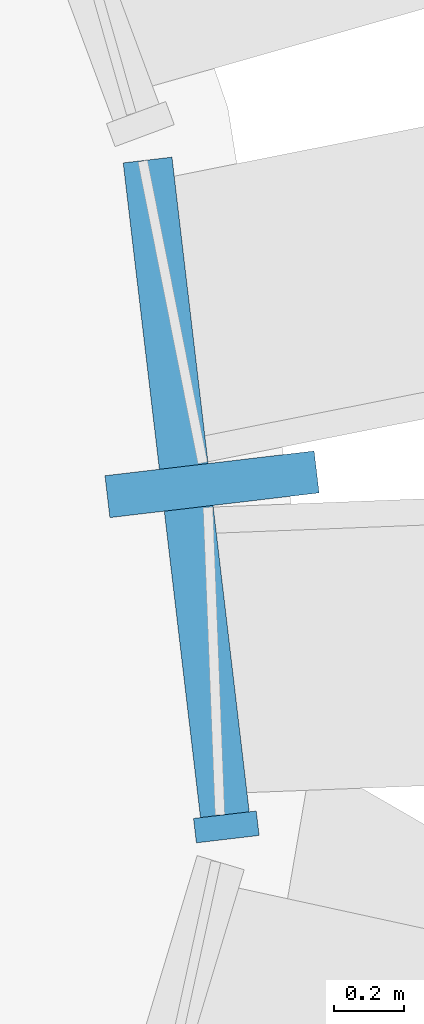
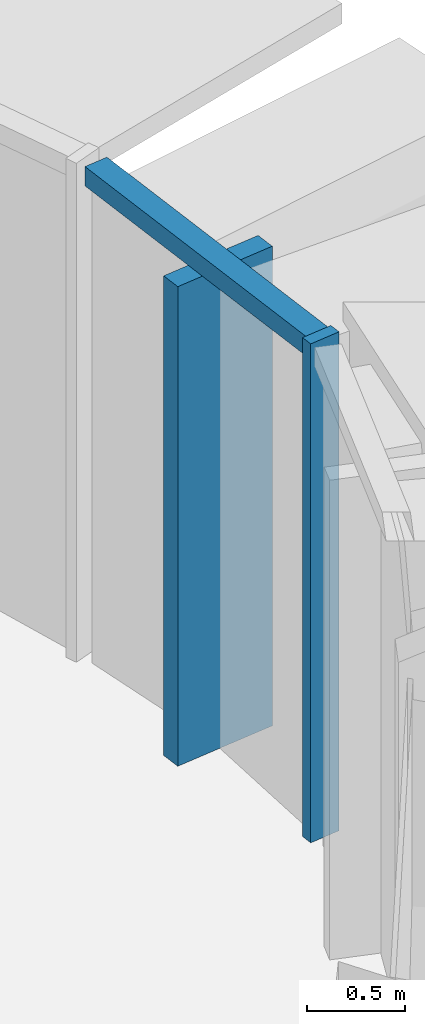
# One storey, part 8 of 23: 3 members, 1 element without a shape of its own.
"""IFC4 building model written with IfcOpenShell, lengths in metres."""

import ifcopenshell
import ifcopenshell.guid

model = None  # the IFC model being written
_history = None  # IfcOwnerHistory: only IFC2X3 demands one
_inside = {}  # id of a spatial element -> (the spatial element, [elements in it])
_under = {}  # id of a project, library or spatial element -> (it, [spatial elements below it])
_declared = {}  # id of a project -> (the project, [libraries it declares])
_typed = {}  # id of a type object -> (the type object, [elements of that type])
_made_of = {}  # id of a material, layer set ... -> (it, [elements and type objects made of it])


def new_model(schema):
    """Start an empty IFC model of exactly this schema.

    Asked for "IFC4X3", IfcOpenShell would pick the latest addendum, in which some entities
    have other attributes; the version numbers below select the first issue.
    IFC2X3 requires an IfcOwnerHistory on every rooted entity: one is made here for all.
    """
    global model, _history
    if schema == "IFC4X3":
        model = ifcopenshell.file(schema_version=(4, 3, 0, 0))
    else:
        model = ifcopenshell.file(schema=schema)
    _inside.clear()
    _under.clear()
    _declared.clear()
    _typed.clear()
    _made_of.clear()
    _history = None
    if model.schema == "IFC2X3":
        org = make("IfcOrganization", Name="unknown")
        user = make(
            "IfcPersonAndOrganization",
            ThePerson=make("IfcPerson", FamilyName="unknown"),
            TheOrganization=org,
        )
        app = make(
            "IfcApplication",
            ApplicationDeveloper=org,
            Version="unknown",
            ApplicationFullName="unknown",
            ApplicationIdentifier="unknown",
        )
        _history = make(
            "IfcOwnerHistory",
            OwningUser=user,
            OwningApplication=app,
            ChangeAction="ADDED",
            CreationDate=0,
        )
    return model


def make(cls, **values):
    """One entity of the class cls with the attributes given. An attribute that is None is left unset."""
    return model.create_entity(
        cls, **{name: value for name, value in values.items() if value is not None}
    )


def rooted(cls, **values):
    """An entity with a GlobalId (a new one), such as an element, a storey or a relation."""
    return make(cls, GlobalId=ifcopenshell.guid.new(), OwnerHistory=_history, **values)


def si_unit(unit_type, name, prefix=None):
    """IfcSIUnit, for example si_unit("LENGTHUNIT", "METRE", prefix="MILLI")."""
    return make("IfcSIUnit", UnitType=unit_type, Prefix=prefix, Name=name)


def assignment(units):
    """IfcUnitAssignment: the units of a project."""
    return None if units is None else make("IfcUnitAssignment", Units=units)


def point(xyz):
    """IfcCartesianPoint."""
    return None if xyz is None else make("IfcCartesianPoint", Coordinates=xyz)


def direction(xyz):
    """IfcDirection."""
    return None if xyz is None else make("IfcDirection", DirectionRatios=xyz)


def frame(location, z_axis=None, x_axis=None):
    """IfcAxis2Placement3D, a coordinate frame: its origin and axes. An axis left out is left unset."""
    return make(
        "IfcAxis2Placement3D",
        Location=point(location),
        Axis=direction(z_axis),
        RefDirection=direction(x_axis),
    )


def frame_2d(location, x_axis=None):
    """IfcAxis2Placement2D, a coordinate frame in the plane: its origin and x axis."""
    return make(
        "IfcAxis2Placement2D", Location=point(location), RefDirection=direction(x_axis)
    )


def origin():
    """The frame at (0, 0, 0) with its axes left unset."""
    return frame((0.0, 0.0, 0.0))


def origin_2d():
    """The frame at (0, 0) in the plane with its x axis left unset."""
    return frame_2d((0.0, 0.0))


def place(relative_to, where):
    """IfcLocalPlacement: puts the frame where relative to a parent placement (None: the world)."""
    return make(
        "IfcLocalPlacement", PlacementRelTo=relative_to, RelativePlacement=where
    )


def context(
    kind, dimensions, precision=None, world=None, true_north=None, identifier=None
):
    """IfcGeometricRepresentationContext, for example the 3D "Model" context."""
    return make(
        "IfcGeometricRepresentationContext",
        ContextIdentifier=identifier,
        ContextType=kind,
        CoordinateSpaceDimension=dimensions,
        Precision=precision,
        WorldCoordinateSystem=world,
        TrueNorth=true_north,
    )


def subcontext(parent, identifier, kind, view, scale=None):
    """IfcGeometricRepresentationSubContext, for example "Body" below "Model"."""
    return make(
        "IfcGeometricRepresentationSubContext",
        ContextIdentifier=identifier,
        ContextType=kind,
        ParentContext=parent,
        TargetScale=scale,
        TargetView=view,
    )


def project(units=None, contexts=None):
    """IfcProject with its units and contexts."""
    return rooted(
        "IfcProject",
        Name="project",
        RepresentationContexts=contexts,
        UnitsInContext=assignment(units),
    )


def spatial(cls, under=None, at=None, **own):
    """A site, building, storey or space (cls), placed at a placement, below another one or the project."""
    s = rooted(cls, ObjectPlacement=at, **own)
    if under is not None:
        _under.setdefault(under.id(), (under, []))[1].append(s)
    return s


def profile(cls, at=None, kind="AREA", **sizes):
    """A parametric profile (cls). Its sizes go by their IFC names, for example OverallWidth=200.0."""
    return make(cls, ProfileType=kind, Position=at, **sizes)


def rectangle(**sizes):
    """IfcRectangleProfileDef."""
    return profile("IfcRectangleProfileDef", **sizes)


def extrude(swept, where, along, depth):
    """IfcExtrudedAreaSolid: the profile swept, set in the frame where, extruded along a direction by depth."""
    return make(
        "IfcExtrudedAreaSolid",
        SweptArea=swept,
        Position=where,
        ExtrudedDirection=direction(along),
        Depth=depth,
    )


def shape(context_of_items, identifier, shape_type, items):
    """IfcShapeRepresentation: the items that make up one representation, for example the "Body"."""
    return make(
        "IfcShapeRepresentation",
        ContextOfItems=context_of_items,
        RepresentationIdentifier=identifier,
        RepresentationType=shape_type,
        Items=items,
    )


def material(Name=None, Category=None):
    """IfcMaterial."""
    return make("IfcMaterial", Name=Name, Category=Category)


def layer(
    of_material, thickness, ventilated=None, Name=None, Category=None, Priority=None
):
    """IfcMaterialLayer: one layer of a wall or slab, of a material (None: an air gap)."""
    return make(
        "IfcMaterialLayer",
        Material=of_material,
        LayerThickness=thickness,
        IsVentilated=ventilated,
        Name=Name,
        Category=Category,
        Priority=Priority,
    )


def layer_set(layers, Name=None):
    """IfcMaterialLayerSet."""
    return make("IfcMaterialLayerSet", MaterialLayers=layers, LayerSetName=Name)


def material_profile(
    of_material, cross_section, Name=None, Category=None, Priority=None
):
    """IfcMaterialProfile: a cross section and its material."""
    return make(
        "IfcMaterialProfile",
        Name=Name,
        Material=of_material,
        Profile=cross_section,
        Priority=Priority,
        Category=Category,
    )


def profile_set(profiles, Name=None, composite=None):
    """IfcMaterialProfileSet."""
    return make(
        "IfcMaterialProfileSet",
        Name=Name,
        MaterialProfiles=profiles,
        CompositeProfile=composite,
    )


def made_of(thing, what):
    """Note that an element or type object is made of a material, layer set ...; save() writes the relation."""
    if what is not None:
        _made_of.setdefault(what.id(), (what, []))[1].append(thing)
    return thing


def type_object(cls, material=None, **own):
    """A type object (cls), such as IfcWallType, which elements share."""
    return made_of(rooted(cls, **own), material)


def element(
    cls,
    number,
    at=None,
    inside=None,
    cuts=None,
    type_object=None,
    material=None,
    context=None,
    identifier="Body",
    shape_type=None,
    held_by="IfcProductDefinitionShape",
    body=None,
    shapes=None,
    **own,
):
    """One element of the class cls, such as IfcWall. Its Tag is "e" and its number.

    at: its placement. inside: the storey or other place that contains it. cuts: it is an
    opening in that element (IfcRelVoidsElement). A single representation is given by context,
    identifier, shape_type and body (its items); several are given by shapes. held_by: the class
    of the entity that holds the representations. save() writes the other relations.
    """
    e = rooted(cls, Tag="e%d" % number, ObjectPlacement=at, **own)
    if body is not None:
        shapes = [shape(context, identifier, shape_type, body)]
    if shapes is not None:
        e.Representation = make(held_by, Representations=shapes)
    if inside is not None:
        _inside.setdefault(inside.id(), (inside, []))[1].append(e)
    if cuts is not None:
        rooted(
            "IfcRelVoidsElement", RelatingBuildingElement=cuts, RelatedOpeningElement=e
        )
    if type_object is not None:
        _typed.setdefault(type_object.id(), (type_object, []))[1].append(e)
    return made_of(e, material)


def aggregate(whole, parts):
    """IfcRelAggregates: a whole, such as a stair, and the parts it consists of."""
    return rooted("IfcRelAggregates", RelatingObject=whole, RelatedObjects=parts)


def save(model, path):
    """Write the relations noted so far, then the file.

    IfcRelAggregates (storeys below a building ...), IfcRelContainedInSpatialStructure (elements
    in a storey), IfcRelDefinesByType, IfcRelAssociatesMaterial and IfcRelDeclares: one each for
    every whole, place, type object, material and project.
    """
    for whole, parts in _under.values():
        aggregate(whole, parts)
    for where, things in _inside.values():
        rooted(
            "IfcRelContainedInSpatialStructure",
            RelatedElements=things,
            RelatingStructure=where,
        )
    for kind, things in _typed.values():
        rooted("IfcRelDefinesByType", RelatedObjects=things, RelatingType=kind)
    for what, things in _made_of.values():
        rooted("IfcRelAssociatesMaterial", RelatedObjects=things, RelatingMaterial=what)
    for by, libraries in _declared.values():
        rooted("IfcRelDeclares", RelatingContext=by, RelatedDefinitions=libraries)
    model.write(path)


model = new_model("IFC4")

# Units and contexts
model_context = context("Model", 3, precision=1e-05, world=origin(), true_north=direction((0.0, 1.0)))
body_context = subcontext(model_context, "Body", "Model", "MODEL_VIEW")
ifc_project = project(units=[si_unit("LENGTHUNIT", "METRE"), si_unit("AREAUNIT", "SQUARE_METRE"), si_unit("VOLUMEUNIT", "CUBIC_METRE"), si_unit("PLANEANGLEUNIT", "RADIAN"), si_unit("MASSUNIT", "GRAM", prefix="KILO")], contexts=[model_context])

# Site, building, storey
site_placement = place(None, origin())
site = spatial("IfcSite", under=ifc_project, at=site_placement, CompositionType="ELEMENT")
building_placement = place(site_placement, origin())
building = spatial("IfcBuilding", under=site, at=building_placement, Name="Sierra Prisma Convention Tower", CompositionType="ELEMENT")
storey_placement = place(building_placement, frame((0.0, 0.0, 70.199951171875)))
storey = spatial("IfcBuildingStorey", under=building, at=storey_placement, Name="L13", CompositionType="ELEMENT", Elevation=70.199951171875)

# Curtain wall, members
ifc_material_1 = material(Name="Aluminium and glass curtain wall", Category="aluminium")
ifc_layer = layer(ifc_material_1, 0.179931640625)
ifc_layer_set = layer_set([ifc_layer], Name="CW-2 Faceted crystal curtain wall")
curtain_wall_type = type_object("IfcCurtainWallType", Name="CW-2 Faceted crystal curtain wall", PredefinedType="NOTDEFINED", material=ifc_layer_set)
curtain_wall_placement = place(storey_placement, origin())
curtain_wall = element("IfcCurtainWall", 1, at=curtain_wall_placement, inside=storey, type_object=curtain_wall_type, Name="CW-2 SE4 L13", PredefinedType="NOTDEFINED")
ifc_material_2 = material(Name="Aluminium 6063-T6 bronze anodised", Category="aluminium")
ifc_material_profile_1 = material_profile(ifc_material_2, rectangle(XDim=0.1201171875, YDim=0.60009765625, at=origin_2d()), Name="ALU RIDGE BLADE 120x600")
ifc_profile_set_1 = profile_set([ifc_material_profile_1], Name="Aluminium 6063-T6 bronze anodised")
member_type_1 = type_object("IfcMemberType", Name="CW hip bronze", PredefinedType="MULLION", material=ifc_profile_set_1)
member_1_placement = place(storey_placement, frame((31.5478515625, -15.053955078125, 0.0), z_axis=(0.0, 0.0, 1.0), x_axis=(-0.11726348424, 0.993100838417, 0.0)))
member_1 = element("IfcMember", 2, at=member_1_placement, type_object=member_type_1, Name="CW-2 ridge SE4.1", PredefinedType="MULLION", context=body_context, shape_type="SweptSolid", body=[
    extrude(rectangle(XDim=0.1201171875, YDim=0.60009765625, at=origin_2d()), origin(), (0.0, 0.0, 1.0), 2.97998046875),
])
ifc_material_3 = material(Name="Aluminium 6063-T6 bronze anodised", Category="aluminium")
ifc_material_profile_2 = material_profile(ifc_material_3, rectangle(XDim=0.179931640625, YDim=0.070068359375, at=origin_2d()), Name="ALU MULLION 70x180")
ifc_profile_set_2 = profile_set([ifc_material_profile_2], Name="Aluminium 6063-T6 bronze anodised")
member_type_2 = type_object("IfcMemberType", Name="CW mullion bronze", PredefinedType="MULLION", material=ifc_profile_set_2)
member_2_placement = place(storey_placement, frame((31.588623046875, -16.0302734375, 0.0), z_axis=(0.0, 0.0, 1.0), x_axis=(-0.993100838417, -0.11726348424, 0.0)))
member_2 = element("IfcMember", 3, at=member_2_placement, type_object=member_type_2, Name="CW-1 mullion SE4.1", PredefinedType="MULLION", context=body_context, shape_type="SweptSolid", body=[
    extrude(rectangle(XDim=0.179931640625, YDim=0.070068359375, at=origin_2d()), origin(), (0.0, 0.0, 1.0), 3.10009765625),
])
ifc_material_4 = material(Name="Aluminium 6063-T6 bronze anodised", Category="aluminium")
ifc_material_profile_3 = material_profile(ifc_material_4, rectangle(XDim=0.139892578125, YDim=0.1201171875, at=origin_2d()), Name="ALU TRANSOM 120x140")
ifc_profile_set_3 = profile_set([ifc_material_profile_3], Name="Aluminium 6063-T6 bronze anodised")
member_type_3 = type_object("IfcMemberType", Name="CW transom bronze", PredefinedType="USERDEFINED", material=ifc_profile_set_3)
member_3_placement = place(storey_placement, frame((31.58447265625, -15.995361328125, 3.0400390625), z_axis=(-0.117233367809, 0.993104394045, 0.0), x_axis=(-0.993104394045, -0.117233367809, 0.0)))
member_3 = element("IfcMember", 4, at=member_3_placement, type_object=member_type_3, Name="CW-1 transom SE4.1", ObjectType="TRANSOM", PredefinedType="USERDEFINED", context=body_context, shape_type="SweptSolid", body=[
    extrude(rectangle(XDim=0.139892578125, YDim=0.1201171875, at=origin_2d()), origin(), (0.0, 0.0, 1.0), 1.87841796875),
])
aggregate(curtain_wall, [member_2, member_3, member_1])

save(model, "model.ifc")
